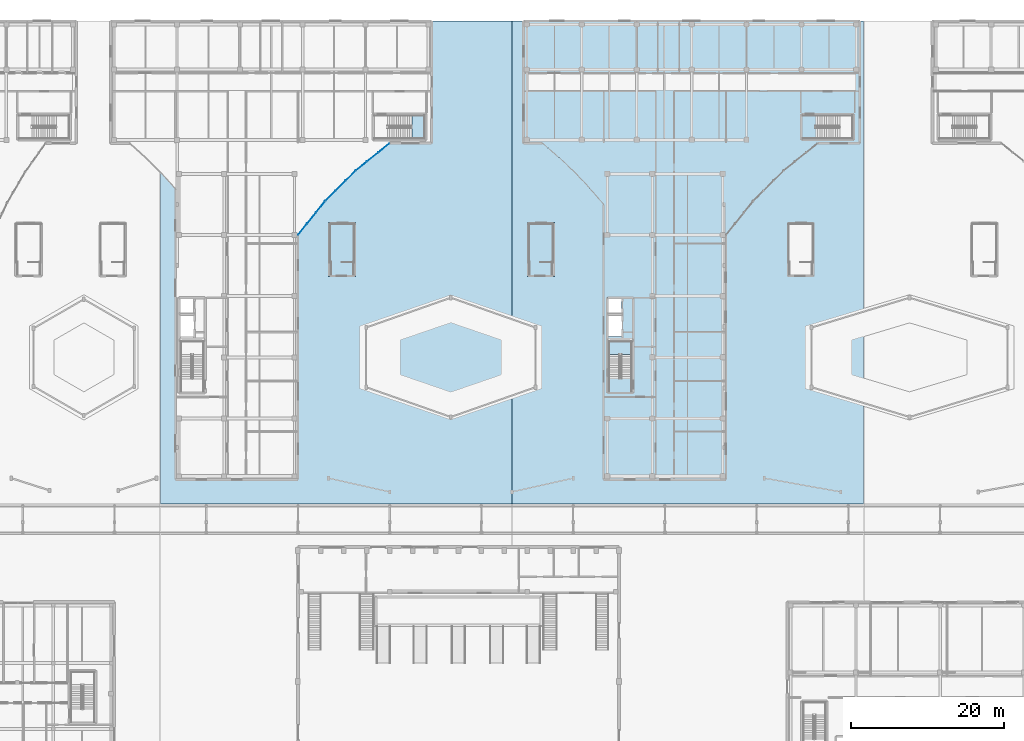
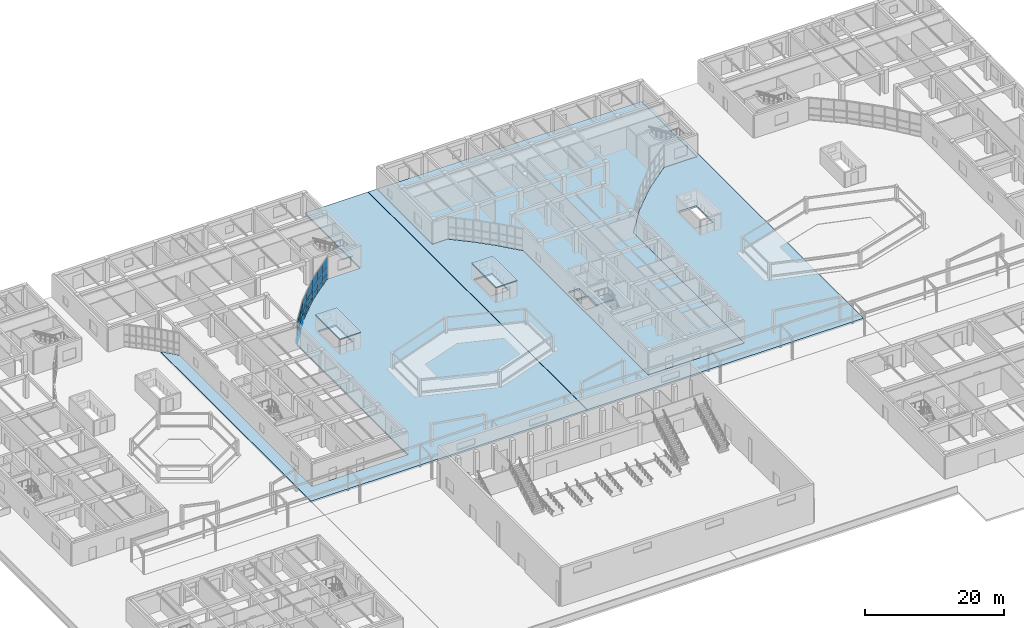
# One storey, part 64 of 114: 27 plates, 7 slabs, 5 elements without a shape of their own.
"""IFC4 building model written with IfcOpenShell, lengths in metres."""

from ifc_helpers import new_model, si_unit, direction, frame, origin, origin_2d, place, context, subcontext, project, spatial, polyline, rectangle, outline, extrude, material, layer, layer_set, type_object, element, aggregate, save


model = new_model("IFC4")

# Units and contexts
model_context = context("Model", 3, precision=1e-05, world=origin(), true_north=direction((0.0, 1.0)))
body_context = subcontext(model_context, "Body", "Model", "MODEL_VIEW")
ifc_project = project(units=[si_unit("LENGTHUNIT", "METRE"), si_unit("AREAUNIT", "SQUARE_METRE"), si_unit("VOLUMEUNIT", "CUBIC_METRE"), si_unit("PLANEANGLEUNIT", "RADIAN"), si_unit("MASSUNIT", "GRAM", prefix="KILO")], contexts=[model_context])

# Site, building, storey
site_placement = place(None, origin())
site = spatial("IfcSite", under=ifc_project, at=site_placement, CompositionType="ELEMENT")
building_placement = place(site_placement, origin())
building = spatial("IfcBuilding", under=site, at=building_placement, Name="Keldmere Railside Commons", CompositionType="ELEMENT")
storey_placement = place(building_placement, origin())
storey = spatial("IfcBuildingStorey", under=building, at=storey_placement, Name="L00", CompositionType="ELEMENT", Elevation=0.0)

# Curtain wall, plates
ifc_material_1 = material(Name="Thermally Broken Aluminium", Category="aluminium")
ifc_layer_1 = layer(ifc_material_1, 0.159912109375, Name="Residential Ground Entrance Lobby CW 4000x3600")
ifc_layer_set_1 = layer_set([ifc_layer_1], Name="Thermally Broken Aluminium")
curtain_wall_type_1 = type_object("IfcCurtainWallType", Name="Residential Ground Entrance Lobby CW 4000x3600", PredefinedType="NOTDEFINED", material=ifc_layer_set_1)
curtain_wall_1_placement = place(storey_placement, origin())
curtain_wall_1 = element("IfcCurtainWall", 1, at=curtain_wall_1_placement, inside=storey, type_object=curtain_wall_type_1, Name="CW-10 CW-L00-025", PredefinedType="NOTDEFINED")
ifc_material_2 = material(Name="Low-E Insulated Double Glazing", Category="glass")
ifc_layer_2 = layer(ifc_material_2, 0.033935546875, Name="Acoustic Laminated Vision Panel 34")
ifc_layer_set_2 = layer_set([ifc_layer_2], Name="Low-E Insulated Double Glazing")
plate_type_1 = type_object("IfcPlateType", Name="Acoustic Laminated Vision Panel 34", PredefinedType="CURTAIN_PANEL", material=ifc_layer_set_2)
plate_1_placement = place(storey_placement, frame((66.951416015625, 91.678955078125, 0.06494140625), z_axis=(0.0, 0.0, 1.0), x_axis=(-0.625768080915, -0.780009172323, 0.0)))
plate_1 = element("IfcPlate", 2, at=plate_1_placement, type_object=plate_type_1, Name="CW-10 panel 1.1", PredefinedType="CURTAIN_PANEL", context=body_context, shape_type="SweptSolid", body=[
    extrude(rectangle(XDim=1.795654296875, YDim=0.033935546875, at=origin_2d()), origin(), (0.0, 0.0, 1.0), 0.802490234375),
])
plate_2_placement = place(storey_placement, frame((66.951416015625, 91.678955078125, 0.932373046875), z_axis=(0.0, 0.0, 1.0), x_axis=(-0.625768080915, -0.780009172323, 0.0)))
plate_2 = element("IfcPlate", 3, at=plate_2_placement, type_object=plate_type_1, Name="CW-10 panel 1.2", PredefinedType="CURTAIN_PANEL", context=body_context, shape_type="SweptSolid", body=[
    extrude(rectangle(XDim=1.795654296875, YDim=0.033935546875, at=origin_2d()), origin(), (0.0, 0.0, 1.0), 1.18505859375),
])
plate_3_placement = place(storey_placement, frame((66.951416015625, 91.678955078125, 2.1826171875), z_axis=(0.0, 0.0, 1.0), x_axis=(-0.625768080915, -0.780009172323, 0.0)))
plate_3 = element("IfcPlate", 4, at=plate_3_placement, type_object=plate_type_1, Name="CW-10 panel 1.3", PredefinedType="CURTAIN_PANEL", context=body_context, shape_type="SweptSolid", body=[
    extrude(rectangle(XDim=1.795654296875, YDim=0.033935546875, at=origin_2d()), origin(), (0.0, 0.0, 1.0), 1.6923828125),
])
plate_4_placement = place(storey_placement, frame((65.777099609375, 90.215087890625, 0.06494140625), z_axis=(0.0, 0.0, 1.0), x_axis=(-0.625768080915, -0.780009172323, 0.0)))
plate_4 = element("IfcPlate", 5, at=plate_4_placement, type_object=plate_type_1, Name="CW-10 panel 2.1", PredefinedType="CURTAIN_PANEL", context=body_context, shape_type="SweptSolid", body=[
    extrude(rectangle(XDim=1.828125, YDim=0.033935546875, at=origin_2d()), origin(), (0.0, 0.0, 1.0), 0.802490234375),
])
plate_5_placement = place(storey_placement, frame((65.777099609375, 90.215087890625, 0.932373046875), z_axis=(0.0, 0.0, 1.0), x_axis=(-0.625768080915, -0.780009172323, 0.0)))
plate_5 = element("IfcPlate", 6, at=plate_5_placement, type_object=plate_type_1, Name="CW-10 panel 2.2", PredefinedType="CURTAIN_PANEL", context=body_context, shape_type="SweptSolid", body=[
    extrude(rectangle(XDim=1.828125, YDim=0.033935546875, at=origin_2d()), origin(), (0.0, 0.0, 1.0), 1.18505859375),
])
plate_6_placement = place(storey_placement, frame((65.777099609375, 90.215087890625, 2.1826171875), z_axis=(0.0, 0.0, 1.0), x_axis=(-0.625768080915, -0.780009172323, 0.0)))
plate_6 = element("IfcPlate", 7, at=plate_6_placement, type_object=plate_type_1, Name="CW-10 panel 2.3", PredefinedType="CURTAIN_PANEL", context=body_context, shape_type="SweptSolid", body=[
    extrude(rectangle(XDim=1.828125, YDim=0.033935546875, at=origin_2d()), origin(), (0.0, 0.0, 1.0), 1.6923828125),
])
plate_7_placement = place(storey_placement, frame((64.6025390625, 88.7509765625, 0.06494140625), z_axis=(0.0, 0.0, 1.0), x_axis=(-0.625768080915, -0.780009172323, 0.0)))
plate_7 = element("IfcPlate", 8, at=plate_7_placement, type_object=plate_type_1, Name="CW-10 panel 3.1", PredefinedType="CURTAIN_PANEL", context=body_context, shape_type="SweptSolid", body=[
    extrude(rectangle(XDim=1.795654296875, YDim=0.033935546875, at=origin_2d()), origin(), (0.0, 0.0, 1.0), 0.802490234375),
])
plate_8_placement = place(storey_placement, frame((64.6025390625, 88.7509765625, 0.932373046875), z_axis=(0.0, 0.0, 1.0), x_axis=(-0.625768080915, -0.780009172323, 0.0)))
plate_8 = element("IfcPlate", 9, at=plate_8_placement, type_object=plate_type_1, Name="CW-10 panel 3.2", PredefinedType="CURTAIN_PANEL", context=body_context, shape_type="SweptSolid", body=[
    extrude(rectangle(XDim=1.795654296875, YDim=0.033935546875, at=origin_2d()), origin(), (0.0, 0.0, 1.0), 1.18505859375),
])
plate_9_placement = place(storey_placement, frame((64.6025390625, 88.7509765625, 2.1826171875), z_axis=(0.0, 0.0, 1.0), x_axis=(-0.625768080915, -0.780009172323, 0.0)))
plate_9 = element("IfcPlate", 10, at=plate_9_placement, type_object=plate_type_1, Name="CW-10 panel 3.3", PredefinedType="CURTAIN_PANEL", context=body_context, shape_type="SweptSolid", body=[
    extrude(rectangle(XDim=1.795654296875, YDim=0.033935546875, at=origin_2d()), origin(), (0.0, 0.0, 1.0), 1.6923828125),
])
aggregate(curtain_wall_1, [plate_1, plate_2, plate_3, plate_4, plate_5, plate_6, plate_7, plate_8, plate_9])

# Slabs
ifc_material_3 = material(Name="Concrete H-35 (C35/45)", Category="concrete")
ifc_layer_3 = layer(ifc_material_3, 0.14990234375, Name="Canopy & Headhouse Roof Slab 150")
ifc_layer_set_3 = layer_set([ifc_layer_3], Name="Concrete H-35 (C35/45)")
slab_type_1 = type_object("IfcSlabType", Name="Canopy & Headhouse Roof Slab 150", PredefinedType="ROOF", material=ifc_layer_set_3)
slab_1_placement = place(storey_placement, frame((0.0, 0.0, 2.64990234375)))
element("IfcSlab", 11, at=slab_1_placement, inside=storey, type_object=slab_type_1, Name="RT-3 ST-B3 Pavilion Roof", PredefinedType="ROOF", context=body_context, shape_type="SweptSolid", body=[
    extrude(outline(polyline([(68.0, 82.550048828125), (71.550048828125, 82.550048828125), (71.550048828125, 89.64990234375), (68.0, 89.64990234375), (68.0, 82.550048828125)])), origin(), (0.0, 0.0, 1.0), 0.150146484375),
])
slab_2_placement = place(storey_placement, frame((0.0, 0.0, 2.64990234375)))
element("IfcSlab", 12, at=slab_2_placement, inside=storey, type_object=slab_type_1, Name="RT-3 ST-B4 Pavilion Roof", PredefinedType="ROOF", context=body_context, shape_type="SweptSolid", body=[
    extrude(outline(polyline([(94.0, 82.550048828125), (97.550048828125, 82.550048828125), (97.550048828125, 89.64990234375), (94.0, 89.64990234375), (94.0, 82.550048828125)])), origin(), (0.0, 0.0, 1.0), 0.150146484375),
])

# Curtain wall, plates
ifc_layer_4 = layer(ifc_material_1, 0.159912109375, Name="Residential Lounge Frontage CW 4600x3600")
ifc_layer_set_4 = layer_set([ifc_layer_4], Name="Thermally Broken Aluminium")
curtain_wall_type_2 = type_object("IfcCurtainWallType", Name="Residential Lounge Frontage CW 4600x3600", PredefinedType="NOTDEFINED", material=ifc_layer_set_4)
curtain_wall_2_placement = place(storey_placement, origin())
curtain_wall_2 = element("IfcCurtainWall", 13, at=curtain_wall_2_placement, inside=storey, type_object=curtain_wall_type_2, Name="CW-11 CW-L00-026", PredefinedType="NOTDEFINED")
ifc_layer_5 = layer(ifc_material_2, 0.031982421875, Name="Clerestory Solar-Control Vision Panel 32")
ifc_layer_set_5 = layer_set([ifc_layer_5], Name="Low-E Insulated Double Glazing")
plate_type_2 = type_object("IfcPlateType", Name="Clerestory Solar-Control Vision Panel 32", PredefinedType="CURTAIN_PANEL", material=ifc_layer_set_5)
plate_10_placement = place(storey_placement, frame((70.88916015625, 95.76513671875, 0.06494140625), z_axis=(0.0, 0.0, 1.0), x_axis=(-0.707106781187, -0.707106781187, 0.0)))
plate_10 = element("IfcPlate", 14, at=plate_10_placement, type_object=plate_type_2, Name="CW-11 panel 1.1", PredefinedType="CURTAIN_PANEL", context=body_context, shape_type="SweptSolid", body=[
    extrude(rectangle(XDim=1.795654296875, YDim=0.031982421875, at=origin_2d()), origin(), (0.0, 0.0, 1.0), 0.802490234375),
])
plate_11_placement = place(storey_placement, frame((70.88916015625, 95.76513671875, 0.932373046875), z_axis=(0.0, 0.0, 1.0), x_axis=(-0.707106781187, -0.707106781187, 0.0)))
plate_11 = element("IfcPlate", 15, at=plate_11_placement, type_object=plate_type_2, Name="CW-11 panel 1.2", PredefinedType="CURTAIN_PANEL", context=body_context, shape_type="SweptSolid", body=[
    extrude(rectangle(XDim=1.795654296875, YDim=0.031982421875, at=origin_2d()), origin(), (0.0, 0.0, 1.0), 1.18505859375),
])
plate_12_placement = place(storey_placement, frame((70.88916015625, 95.76513671875, 2.1826171875), z_axis=(0.0, 0.0, 1.0), x_axis=(-0.707106781187, -0.707106781187, 0.0)))
plate_12 = element("IfcPlate", 16, at=plate_12_placement, type_object=plate_type_2, Name="CW-11 panel 1.3", PredefinedType="CURTAIN_PANEL", context=body_context, shape_type="SweptSolid", body=[
    extrude(rectangle(XDim=1.795654296875, YDim=0.031982421875, at=origin_2d()), origin(), (0.0, 0.0, 1.0), 1.6923828125),
])
plate_13_placement = place(storey_placement, frame((69.56201171875, 94.43798828125, 0.06494140625), z_axis=(0.0, 0.0, 1.0), x_axis=(-0.707106781187, -0.707106781187, 0.0)))
plate_13 = element("IfcPlate", 17, at=plate_13_placement, type_object=plate_type_2, Name="CW-11 panel 2.1", PredefinedType="CURTAIN_PANEL", context=body_context, shape_type="SweptSolid", body=[
    extrude(rectangle(XDim=1.828125, YDim=0.031982421875, at=origin_2d()), origin(), (0.0, 0.0, 1.0), 0.802490234375),
])
plate_14_placement = place(storey_placement, frame((69.56201171875, 94.43798828125, 0.932373046875), z_axis=(0.0, 0.0, 1.0), x_axis=(-0.707106781187, -0.707106781187, 0.0)))
plate_14 = element("IfcPlate", 18, at=plate_14_placement, type_object=plate_type_2, Name="CW-11 panel 2.2", PredefinedType="CURTAIN_PANEL", context=body_context, shape_type="SweptSolid", body=[
    extrude(rectangle(XDim=1.828125, YDim=0.031982421875, at=origin_2d()), origin(), (0.0, 0.0, 1.0), 1.18505859375),
])
plate_15_placement = place(storey_placement, frame((69.56201171875, 94.43798828125, 2.1826171875), z_axis=(0.0, 0.0, 1.0), x_axis=(-0.707106781187, -0.707106781187, 0.0)))
plate_15 = element("IfcPlate", 19, at=plate_15_placement, type_object=plate_type_2, Name="CW-11 panel 2.3", PredefinedType="CURTAIN_PANEL", context=body_context, shape_type="SweptSolid", body=[
    extrude(rectangle(XDim=1.828125, YDim=0.031982421875, at=origin_2d()), origin(), (0.0, 0.0, 1.0), 1.6923828125),
])
plate_16_placement = place(storey_placement, frame((68.23486328125, 93.11083984375, 0.06494140625), z_axis=(0.0, 0.0, 1.0), x_axis=(-0.707106781187, -0.707106781187, 0.0)))
plate_16 = element("IfcPlate", 20, at=plate_16_placement, type_object=plate_type_2, Name="CW-11 panel 3.1", PredefinedType="CURTAIN_PANEL", context=body_context, shape_type="SweptSolid", body=[
    extrude(rectangle(XDim=1.795654296875, YDim=0.031982421875, at=origin_2d()), origin(), (0.0, 0.0, 1.0), 0.802490234375),
])
plate_17_placement = place(storey_placement, frame((68.23486328125, 93.11083984375, 0.932373046875), z_axis=(0.0, 0.0, 1.0), x_axis=(-0.707106781187, -0.707106781187, 0.0)))
plate_17 = element("IfcPlate", 21, at=plate_17_placement, type_object=plate_type_2, Name="CW-11 panel 3.2", PredefinedType="CURTAIN_PANEL", context=body_context, shape_type="SweptSolid", body=[
    extrude(rectangle(XDim=1.795654296875, YDim=0.031982421875, at=origin_2d()), origin(), (0.0, 0.0, 1.0), 1.18505859375),
])
plate_18_placement = place(storey_placement, frame((68.23486328125, 93.11083984375, 2.1826171875), z_axis=(0.0, 0.0, 1.0), x_axis=(-0.707106781187, -0.707106781187, 0.0)))
plate_18 = element("IfcPlate", 22, at=plate_18_placement, type_object=plate_type_2, Name="CW-11 panel 3.3", PredefinedType="CURTAIN_PANEL", context=body_context, shape_type="SweptSolid", body=[
    extrude(rectangle(XDim=1.795654296875, YDim=0.031982421875, at=origin_2d()), origin(), (0.0, 0.0, 1.0), 1.6923828125),
])
aggregate(curtain_wall_2, [plate_10, plate_11, plate_12, plate_13, plate_14, plate_15, plate_16, plate_17, plate_18])

# Stair, slab
ifc_material_4 = material(Name="Concrete H-30 (C30/37)", Category="concrete")
stair_type_1 = type_object("IfcStairType", Name="Ground Podium Dogleg Stair 1450", PredefinedType="HALF_TURN_STAIR", material=ifc_material_4)
stair_1_placement = place(storey_placement, origin())
stair_1 = element("IfcStair", 23, at=stair_1_placement, inside=storey, type_object=stair_type_1, Name="L00 Block C Secondary Escape Stair 2", PredefinedType="HALF_TURN_STAIR")
ifc_layer_6 = layer(ifc_material_4, 0.199951171875, Name="Enclosed Stair Landing Slab 200")
ifc_layer_set_6 = layer_set([ifc_layer_6], Name="Concrete H-30 (C30/37)")
slab_type_2 = type_object("IfcSlabType", Name="Enclosed Stair Landing Slab 200", PredefinedType="LANDING", material=ifc_layer_set_6)
slab_3_placement = place(storey_placement, frame((0.0, 0.0, 1.8798828125)))
slab_3 = element("IfcSlab", 24, at=slab_3_placement, type_object=slab_type_2, Name="ST-C2 landing 1", PredefinedType="LANDING", context=body_context, shape_type="SweptSolid", body=[
    extrude(outline(polyline([(78.889892578125, 100.60009765625), (80.60009765625, 100.60009765625), (80.60009765625, 103.64990234375), (78.889892578125, 103.64990234375), (78.889892578125, 100.60009765625)])), origin(), (0.0, 0.0, 1.0), 0.2001953125),
])
aggregate(stair_1, [slab_3])

stair_type_2 = type_object("IfcStairType", Name="Basement Garage Dogleg Escape Stair 1450", PredefinedType="HALF_TURN_STAIR", material=ifc_material_4)
stair_2_placement = place(storey_placement, origin())
stair_2 = element("IfcStair", 25, at=stair_2_placement, inside=storey, type_object=stair_type_2, Name="L00 Block B Primary Escape Stair 1", PredefinedType="HALF_TURN_STAIR")
slab_4_placement = place(storey_placement, frame((0.0, 0.0, 1.8798828125)))
slab_4 = element("IfcSlab", 26, at=slab_4_placement, type_object=slab_type_2, Name="ST-B1 landing 1", PredefinedType="LANDING", context=body_context, shape_type="SweptSolid", body=[
    extrude(outline(polyline([(107.699951171875, 72.389892578125), (107.699951171875, 74.10009765625), (104.64990234375, 74.10009765625), (104.64990234375, 72.389892578125), (107.699951171875, 72.389892578125)])), origin(), (0.0, 0.0, 1.0), 0.2001953125),
])
aggregate(stair_2, [slab_4])

# Slabs
ifc_layer_7 = layer(ifc_material_3, 0.320068359375, Name="Ground Podium Transfer Slab 320")
ifc_layer_set_7 = layer_set([ifc_layer_7], Name="Concrete H-35 (C35/45)")
slab_type_3 = type_object("IfcSlabType", Name="Ground Podium Transfer Slab 320", PredefinedType="FLOOR", material=ifc_layer_set_7)
slab_5_placement = place(storey_placement, frame((0.0, 0.0, -0.320068359375)))
element("IfcSlab", 27, at=slab_5_placement, inside=storey, type_object=slab_type_3, Name="FS-1 BLKB-L00-035", PredefinedType="FLOOR", context=body_context, shape_type="SweptSolid", body=[
    extrude(outline(polyline([(104.0, 56.0), (120.0, 56.0), (120.0, 88.0), (123.553955078125, 92.429931640625), (127.570068359375, 96.446044921875), (132.0, 100.0), (137.5, 100.0), (137.5, 116.0), (93.5, 116.0), (93.5, 100.0), (96.0, 100.0), (98.85791015625, 97.530029296875), (101.530029296875, 94.85791015625), (104.0, 92.0), (104.0, 56.0)]), holes=[polyline([(106.39990234375, 74.699951171875), (104.39990234375, 74.699951171875), (104.39990234375, 77.5), (106.39990234375, 77.5), (106.39990234375, 74.699951171875)]), polyline([(106.300048828125, 77.75), (104.39990234375, 77.75), (104.39990234375, 79.800048828125), (106.300048828125, 79.800048828125), (106.300048828125, 77.75)])]), origin(), (0.0, 0.0, 1.0), 0.320068359375),
])
ifc_layer_8 = layer(ifc_material_3, 0.300048828125, Name="Landscaped Court Deck Slab 300")
ifc_layer_set_8 = layer_set([ifc_layer_8], Name="Concrete H-35 (C35/45)")
slab_type_4 = type_object("IfcSlabType", Name="Landscaped Court Deck Slab 300", PredefinedType="FLOOR", material=ifc_layer_set_8)
slab_6_placement = place(storey_placement, frame((0.0, 0.0, -0.300048828125)))
element("IfcSlab", 28, at=slab_6_placement, inside=storey, type_object=slab_type_4, Name="PD-1 CRTDECK-L00-097", PredefinedType="FLOOR", context=body_context, shape_type="SweptSolid", body=[
    extrude(outline(polyline([(91.969970703125, 116.0), (81.5, 116.0), (81.5, 100.0), (76.0, 100.0), (71.570068359375, 96.446044921875), (67.553955078125, 92.429931640625), (64.0, 88.0), (64.0, 56.0), (48.0, 56.0), (48.0, 94.0), (46.110107421875, 96.10791015625), (46.030029296875, 96.18798828125), (46.030029296875, 52.800048828125), (91.969970703125, 52.800048828125), (91.969970703125, 116.0)]), holes=[polyline([(71.27490234375, 84.52490234375), (68.27490234375, 84.52490234375), (68.27490234375, 89.375), (71.27490234375, 89.375), (71.27490234375, 84.52490234375)])]), origin(), (0.0, 0.0, 1.0), 0.300048828125),
])
slab_7_placement = place(storey_placement, frame((0.0, 0.0, -0.300048828125)))
element("IfcSlab", 29, at=slab_7_placement, inside=storey, type_object=slab_type_4, Name="PD-1 CRTDECK-L00-099", PredefinedType="FLOOR", context=body_context, shape_type="SweptSolid", body=[
    extrude(outline(polyline([(93.5, 116.0), (92.030029296875, 116.0), (92.030029296875, 52.800048828125), (137.969970703125, 52.800048828125), (137.969970703125, 116.0), (137.5, 116.0), (137.5, 100.0), (132.0, 100.0), (127.570068359375, 96.446044921875), (123.553955078125, 92.429931640625), (120.0, 88.0), (120.0, 56.0), (104.0, 56.0), (104.0, 92.0), (101.530029296875, 94.85791015625), (98.85791015625, 97.530029296875), (96.0, 100.0), (93.5, 100.0), (93.5, 116.0)]), holes=[polyline([(97.27490234375, 84.52490234375), (94.27490234375, 84.52490234375), (94.27490234375, 89.375), (97.27490234375, 89.375), (97.27490234375, 84.52490234375)]), polyline([(131.27490234375, 84.52490234375), (128.27490234375, 84.52490234375), (128.27490234375, 89.375), (131.27490234375, 89.375), (131.27490234375, 84.52490234375)])]), origin(), (0.0, 0.0, 1.0), 0.300048828125),
])

# Curtain wall, plates
curtain_wall_3_placement = place(storey_placement, origin())
curtain_wall_3 = element("IfcCurtainWall", 30, at=curtain_wall_3_placement, inside=storey, type_object=curtain_wall_type_1, Name="CW-10 CW-L00-027", PredefinedType="NOTDEFINED")
ifc_layer_9 = layer(ifc_material_2, 0.028076171875, Name="Low-E Vision Glazing Panel 28")
ifc_layer_set_9 = layer_set([ifc_layer_9], Name="Low-E Insulated Double Glazing")
plate_type_3 = type_object("IfcPlateType", Name="Low-E Vision Glazing Panel 28", PredefinedType="CURTAIN_PANEL", material=ifc_layer_set_9)
plate_19_placement = place(storey_placement, frame((75.2490234375, 99.3974609375, 0.06494140625), z_axis=(0.0, 0.0, 1.0), x_axis=(-0.780009172323, -0.625768080915, 0.0)))
plate_19 = element("IfcPlate", 31, at=plate_19_placement, type_object=plate_type_3, Name="CW-10 panel 1.1", PredefinedType="CURTAIN_PANEL", context=body_context, shape_type="SweptSolid", body=[
    extrude(rectangle(XDim=1.795654296875, YDim=0.028076171875, at=origin_2d()), origin(), (0.0, 0.0, 1.0), 0.802490234375),
])
plate_20_placement = place(storey_placement, frame((75.2490234375, 99.3974609375, 0.932373046875), z_axis=(0.0, 0.0, 1.0), x_axis=(-0.780009172323, -0.625768080915, 0.0)))
plate_20 = element("IfcPlate", 32, at=plate_20_placement, type_object=plate_type_3, Name="CW-10 panel 1.2", PredefinedType="CURTAIN_PANEL", context=body_context, shape_type="SweptSolid", body=[
    extrude(rectangle(XDim=1.795654296875, YDim=0.028076171875, at=origin_2d()), origin(), (0.0, 0.0, 1.0), 1.18505859375),
])
plate_21_placement = place(storey_placement, frame((75.2490234375, 99.3974609375, 2.1826171875), z_axis=(0.0, 0.0, 1.0), x_axis=(-0.780009172323, -0.625768080915, 0.0)))
plate_21 = element("IfcPlate", 33, at=plate_21_placement, type_object=plate_type_3, Name="CW-10 panel 1.3", PredefinedType="CURTAIN_PANEL", context=body_context, shape_type="SweptSolid", body=[
    extrude(rectangle(XDim=1.795654296875, YDim=0.028076171875, at=origin_2d()), origin(), (0.0, 0.0, 1.0), 1.6923828125),
])
plate_22_placement = place(storey_placement, frame((73.784912109375, 98.222900390625, 0.06494140625), z_axis=(0.0, 0.0, 1.0), x_axis=(-0.780009172323, -0.625768080915, 0.0)))
plate_22 = element("IfcPlate", 34, at=plate_22_placement, type_object=plate_type_3, Name="CW-10 panel 2.1", PredefinedType="CURTAIN_PANEL", context=body_context, shape_type="SweptSolid", body=[
    extrude(rectangle(XDim=1.828125, YDim=0.028076171875, at=origin_2d()), origin(), (0.0, 0.0, 1.0), 0.802490234375),
])
plate_23_placement = place(storey_placement, frame((73.784912109375, 98.222900390625, 0.932373046875), z_axis=(0.0, 0.0, 1.0), x_axis=(-0.780009172323, -0.625768080915, 0.0)))
plate_23 = element("IfcPlate", 35, at=plate_23_placement, type_object=plate_type_3, Name="CW-10 panel 2.2", PredefinedType="CURTAIN_PANEL", context=body_context, shape_type="SweptSolid", body=[
    extrude(rectangle(XDim=1.828125, YDim=0.028076171875, at=origin_2d()), origin(), (0.0, 0.0, 1.0), 1.18505859375),
])
plate_24_placement = place(storey_placement, frame((73.784912109375, 98.222900390625, 2.1826171875), z_axis=(0.0, 0.0, 1.0), x_axis=(-0.780009172323, -0.625768080915, 0.0)))
plate_24 = element("IfcPlate", 36, at=plate_24_placement, type_object=plate_type_3, Name="CW-10 panel 2.3", PredefinedType="CURTAIN_PANEL", context=body_context, shape_type="SweptSolid", body=[
    extrude(rectangle(XDim=1.828125, YDim=0.028076171875, at=origin_2d()), origin(), (0.0, 0.0, 1.0), 1.6923828125),
])
plate_25_placement = place(storey_placement, frame((72.321044921875, 97.048583984375, 0.06494140625), z_axis=(0.0, 0.0, 1.0), x_axis=(-0.780009172323, -0.625768080915, 0.0)))
plate_25 = element("IfcPlate", 37, at=plate_25_placement, type_object=plate_type_3, Name="CW-10 panel 3.1", PredefinedType="CURTAIN_PANEL", context=body_context, shape_type="SweptSolid", body=[
    extrude(rectangle(XDim=1.795654296875, YDim=0.028076171875, at=origin_2d()), origin(), (0.0, 0.0, 1.0), 0.802490234375),
])
plate_26_placement = place(storey_placement, frame((72.321044921875, 97.048583984375, 0.932373046875), z_axis=(0.0, 0.0, 1.0), x_axis=(-0.780009172323, -0.625768080915, 0.0)))
plate_26 = element("IfcPlate", 38, at=plate_26_placement, type_object=plate_type_3, Name="CW-10 panel 3.2", PredefinedType="CURTAIN_PANEL", context=body_context, shape_type="SweptSolid", body=[
    extrude(rectangle(XDim=1.795654296875, YDim=0.028076171875, at=origin_2d()), origin(), (0.0, 0.0, 1.0), 1.18505859375),
])
plate_27_placement = place(storey_placement, frame((72.321044921875, 97.048583984375, 2.1826171875), z_axis=(0.0, 0.0, 1.0), x_axis=(-0.780009172323, -0.625768080915, 0.0)))
plate_27 = element("IfcPlate", 39, at=plate_27_placement, type_object=plate_type_3, Name="CW-10 panel 3.3", PredefinedType="CURTAIN_PANEL", context=body_context, shape_type="SweptSolid", body=[
    extrude(rectangle(XDim=1.795654296875, YDim=0.028076171875, at=origin_2d()), origin(), (0.0, 0.0, 1.0), 1.6923828125),
])
aggregate(curtain_wall_3, [plate_19, plate_20, plate_21, plate_22, plate_23, plate_24, plate_25, plate_26, plate_27])

save(model, "model.ifc")
